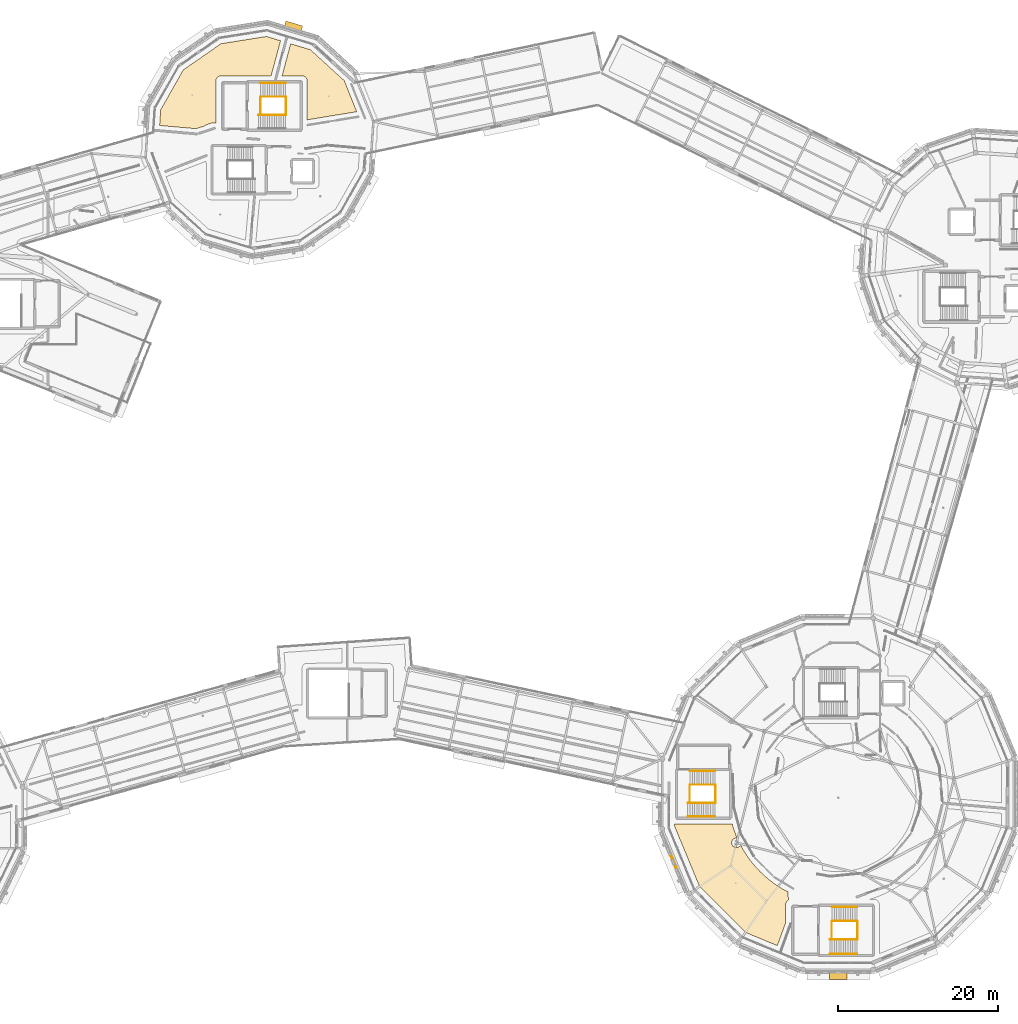
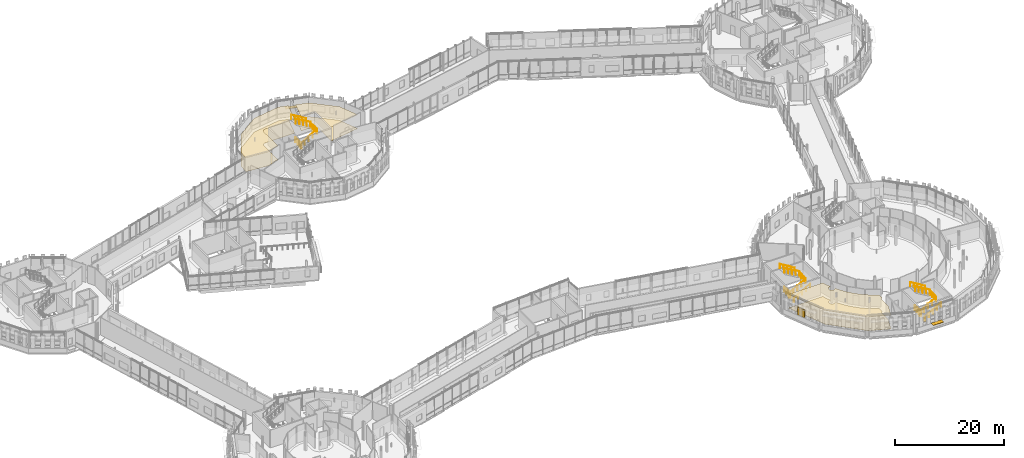
# One storey, part 122 of 125: 17 railings, 6 coverings, 3 shading devices.
"""IFC4 building model written with IfcOpenShell, lengths in metres."""

from ifc_helpers import new_model, si_unit, direction, frame, origin, origin_2d, place, context, subcontext, project, spatial, polyline, rectangle, circle, outline, extrude, material, layer, layer_set, type_object, element, save


model = new_model("IFC4")

# Units and contexts
model_context = context("Model", 3, precision=1e-05, world=origin(), true_north=direction((0.0, 1.0)))
body_context = subcontext(model_context, "Body", "Model", "MODEL_VIEW")
ifc_project = project(units=[si_unit("LENGTHUNIT", "METRE"), si_unit("AREAUNIT", "SQUARE_METRE"), si_unit("VOLUMEUNIT", "CUBIC_METRE"), si_unit("PLANEANGLEUNIT", "RADIAN"), si_unit("MASSUNIT", "GRAM", prefix="KILO")], contexts=[model_context])

# Site, building, storey
site_placement = place(None, origin())
site = spatial("IfcSite", under=ifc_project, at=site_placement, CompositionType="ELEMENT")
building_placement = place(site_placement, origin())
building = spatial("IfcBuilding", under=site, at=building_placement, Name="Wrenclough Park School", CompositionType="ELEMENT")
storey_placement = place(building_placement, frame((0.0, 0.0, 4.199951171875)))
storey = spatial("IfcBuildingStorey", under=building, at=storey_placement, Name="L01", CompositionType="ELEMENT", Elevation=4.199951171875)

# Shading devices
ifc_material_1 = material(Name="Perforated Manchester multi-stock and Staffordshire blue-grey brick screen", Category="masonry")
ifc_layer_1 = layer(ifc_material_1, 0.114990234375)
ifc_layer_set_1 = layer_set([ifc_layer_1], Name="Perforated Manchester multi-stock and Staffordshire blue-grey brick screen")
shading_device_type_1 = type_object("IfcShadingDeviceType", Name="ENV-BS-03", PredefinedType="USERDEFINED", material=ifc_layer_set_1)
shading_device_1_placement = place(storey_placement, frame((134.8994140625, 17.966796875, 1.06982421875), z_axis=(0.0, 0.0, 1.0), x_axis=(0.382692183809, -0.923875907496, 0.0)))
element("IfcShadingDevice", 1, at=shading_device_1_placement, inside=storey, type_object=shading_device_type_1, Name="D1 L01 acoustic open-bond brick baffle 014", ObjectType="PERFORATED BRICK SCREEN", PredefinedType="USERDEFINED", context=body_context, shape_type="SweptSolid", body=[
    extrude(rectangle(XDim=1.60009765625, YDim=0.114990234375, at=origin_2d()), origin(), (0.0, 0.0, 1.0), 1.800048828125),
])
ifc_material_2 = material(Name="Anodised extruded aluminium solar louvre", Category="aluminium")
ifc_layer_2 = layer(ifc_material_2, 0.06005859375)
ifc_layer_set_2 = layer_set([ifc_layer_2], Name="Anodised extruded aluminium solar louvre")
shading_device_type_2 = type_object("IfcShadingDeviceType", Name="ENV-SL-01", PredefinedType="JALOUSIE", material=ifc_layer_set_2)
shading_device_2_placement = place(storey_placement, frame((87.256103515625, 122.673583984375, 1.030029296875), z_axis=(0.0, 0.0, 1.0), x_axis=(-0.957751215921, 0.287597997911, 0.0)))
element("IfcShadingDevice", 2, at=shading_device_2_placement, inside=storey, type_object=shading_device_type_2, Name="D4 L01 sun-side aluminium solar louvre 024", PredefinedType="JALOUSIE", context=body_context, shape_type="SweptSolid", body=[
    extrude(rectangle(XDim=2.199951171875, YDim=0.75, at=origin_2d()), origin(), (0.0, 0.0, 1.0), 0.06005859375),
])
ifc_layer_3 = layer(ifc_material_2, 0.06005859375)
ifc_layer_set_3 = layer_set([ifc_layer_3], Name="Anodised extruded aluminium solar louvre")
shading_device_type_3 = type_object("IfcShadingDeviceType", Name="ENV-SL-02", PredefinedType="JALOUSIE", material=ifc_layer_set_3)
shading_device_3_placement = place(storey_placement, frame((155.5, 3.701904296875, 1.030029296875), z_axis=(0.0, 0.0, 1.0), x_axis=(1.0, 0.0, 0.0)))
element("IfcShadingDevice", 3, at=shading_device_3_placement, inside=storey, type_object=shading_device_type_3, Name="D1 L01 sun-side aluminium solar louvre 015", PredefinedType="JALOUSIE", context=body_context, shape_type="SweptSolid", body=[
    extrude(rectangle(XDim=2.199951171875, YDim=0.8798828125, at=origin_2d()), origin(), (0.0, 0.0, 1.0), 0.06005859375),
])

# Coverings
ifc_material_3 = material(Name="Class A mineral-fibre acoustic ceiling raft", Category="gypsum")
ifc_layer_4 = layer(ifc_material_3, 0.044921875)
ifc_layer_set_4 = layer_set([ifc_layer_4], Name="Class A mineral-fibre acoustic ceiling raft")
covering_type_1 = type_object("IfcCoveringType", Name="INT-COV-CEIL", PredefinedType="CEILING", material=ifc_layer_set_4)
covering_1_placement = place(storey_placement, frame((0.0, 0.0, 3.054931640625)))
element("IfcCovering", 4, at=covering_1_placement, inside=storey, type_object=covering_type_1, Name="Activity Studio 1 acoustic ceiling raft", PredefinedType="CEILING", context=body_context, shape_type="SweptSolid", body=[
    extrude(outline(polyline([(135.05322265625, 22.742431640625), (135.017822265625, 22.751220703125), (135.017822265625, 22.42578125), (138.135986328125, 14.897705078125), (143.897705078125, 9.135986328125), (147.886962890625, 7.48388671875), (148.929931640625, 10.349609375), (148.93310546875, 12.68359375), (148.9423828125, 12.746826171875), (148.9794921875, 12.86865234375), (149.03955078125, 12.981201171875), (149.077392578125, 13.032470703125), (149.16748046875, 13.12255859375), (149.218994140625, 13.160400390625), (149.309814453125, 13.210205078125), (149.252197265625, 13.58251953125), (149.25, 14.213134765625), (148.552978515625, 14.57763671875), (147.7919921875, 15.0546875), (147.08984375, 15.560302734375), (146.39599609375, 16.130615234375), (145.7373046875, 16.748046875), (145.092529296875, 17.439697265625), (144.519287109375, 18.1435546875), (143.9990234375, 18.87548828125), (143.546142578125, 19.607177734375), (143.29638671875, 20.073974609375), (143.24072265625, 19.992431640625), (143.20068359375, 19.9482421875), (143.10888671875, 19.872802734375), (143.057861328125, 19.84228515625), (142.947998046875, 19.796875), (142.831298828125, 19.773681640625), (142.712646484375, 19.773681640625), (142.595947265625, 19.796875), (142.5400390625, 19.81689453125), (142.435302734375, 19.872802734375), (142.34326171875, 19.9482421875), (142.30322265625, 19.992431640625), (142.267822265625, 20.040283203125), (142.2119140625, 20.14501953125), (142.19189453125, 20.200927734375), (142.168701171875, 20.317626953125), (142.168701171875, 20.436279296875), (142.17724609375, 20.495361328125), (142.2119140625, 20.60888671875), (142.2373046875, 20.662841796875), (142.267822265625, 20.7138671875), (142.34326171875, 20.8056640625), (142.435302734375, 20.881103515625), (142.486083984375, 20.91162109375), (142.595947265625, 20.957275390625), (142.65380859375, 20.9716796875), (142.77197265625, 20.9833984375), (142.861572265625, 20.975830078125), (142.732421875, 21.265625), (142.43115234375, 22.07177734375), (142.228515625, 22.73974609375), (142.1201171875, 22.72998046875), (135.179931640625, 22.72998046875), (135.05322265625, 22.742431640625)])), origin(), (0.0, 0.0, 1.0), 0.045166015625),
])
covering_2_placement = place(storey_placement, frame((0.0, 0.0, 3.054931640625)))
element("IfcCovering", 5, at=covering_2_placement, inside=storey, type_object=covering_type_1, Name="Junior Science Laboratory 1 acoustic ceiling raft", PredefinedType="CEILING", context=body_context, shape_type="SweptSolid", body=[
    extrude(outline(polyline([(76.02490234375, 110.1162109375), (76.132080078125, 110.206787109375), (76.193603515625, 110.24560546875), (76.2587890625, 110.27734375), (76.83837890625, 110.515625), (76.973388671875, 110.541015625), (77.3662109375, 110.57177734375), (77.42431640625, 110.57373046875), (77.530029296875, 110.5634765625), (77.530029296875, 115.820068359375), (77.54248046875, 115.94677734375), (77.55810546875, 116.0087890625), (77.606689453125, 116.12646484375), (77.677490234375, 116.232421875), (77.767578125, 116.322509765625), (77.81884765625, 116.360595703125), (77.931396484375, 116.42041015625), (78.05322265625, 116.45751953125), (78.179931640625, 116.469970703125), (84.462646484375, 116.469970703125), (85.640869140625, 120.866943359375), (83.86962890625, 121.398681640625), (78.18701171875, 120.498779296875), (73.45751953125, 117.222412109375), (70.617919921875, 112.21826171875), (70.485107421875, 110.247314453125), (75.0986328125, 109.84375), (75.682373046875, 110.062255859375), (76.02490234375, 110.1162109375)])), origin(), (0.0, 0.0, 1.0), 0.045166015625),
])
covering_3_placement = place(storey_placement, frame((0.0, 0.0, 3.054931640625)))
element("IfcCovering", 6, at=covering_3_placement, inside=storey, type_object=covering_type_1, Name="Pastoral Staff Office acoustic ceiling raft", PredefinedType="CEILING", context=body_context, shape_type="SweptSolid", body=[
    extrude(outline(polyline([(88.969970703125, 115.820068359375), (88.969970703125, 110.9541015625), (95.186767578125, 111.973876953125), (93.626953125, 115.8623046875), (89.380126953125, 119.744140625), (86.905517578125, 120.4873046875), (85.8291015625, 116.469970703125), (88.320068359375, 116.469970703125), (88.44677734375, 116.45751953125), (88.568603515625, 116.42041015625), (88.68115234375, 116.360595703125), (88.732421875, 116.322509765625), (88.822509765625, 116.232421875), (88.893310546875, 116.12646484375), (88.94189453125, 116.0087890625), (88.95751953125, 115.94677734375), (88.969970703125, 115.820068359375)])), origin(), (0.0, 0.0, 1.0), 0.045166015625),
])
ifc_material_4 = material(Name="Acoustic natural linoleum school flooring", Category="wood")
ifc_layer_5 = layer(ifc_material_4, 0.014892578125)
ifc_layer_set_5 = layer_set([ifc_layer_5], Name="Acoustic natural linoleum school flooring")
covering_type_2 = type_object("IfcCoveringType", Name="INT-COV-FLOOR1", PredefinedType="FLOORING", material=ifc_layer_set_5)
covering_4_placement = place(storey_placement, origin())
element("IfcCovering", 7, at=covering_4_placement, inside=storey, type_object=covering_type_2, Name="Junior Science Laboratory 1 floor finish", PredefinedType="FLOORING", context=body_context, shape_type="SweptSolid", body=[
    extrude(outline(polyline([(76.02490234375, 110.1162109375), (76.132080078125, 110.206787109375), (76.193603515625, 110.24560546875), (76.2587890625, 110.27734375), (76.83837890625, 110.515625), (76.973388671875, 110.541015625), (77.3662109375, 110.57177734375), (77.42431640625, 110.57373046875), (77.530029296875, 110.5634765625), (77.530029296875, 115.820068359375), (77.54248046875, 115.94677734375), (77.55810546875, 116.0087890625), (77.606689453125, 116.12646484375), (77.677490234375, 116.232421875), (77.767578125, 116.322509765625), (77.81884765625, 116.360595703125), (77.931396484375, 116.42041015625), (78.05322265625, 116.45751953125), (78.179931640625, 116.469970703125), (84.462646484375, 116.469970703125), (85.640869140625, 120.866943359375), (83.86962890625, 121.398681640625), (78.18701171875, 120.498779296875), (73.45751953125, 117.222412109375), (70.617919921875, 112.21826171875), (70.485107421875, 110.247314453125), (75.0986328125, 109.84375), (75.682373046875, 110.062255859375), (76.02490234375, 110.1162109375)])), origin(), (0.0, 0.0, 1.0), 0.01513671875),
])
covering_5_placement = place(storey_placement, origin())
element("IfcCovering", 8, at=covering_5_placement, inside=storey, type_object=covering_type_2, Name="Pastoral Staff Office floor finish", PredefinedType="FLOORING", context=body_context, shape_type="SweptSolid", body=[
    extrude(outline(polyline([(88.969970703125, 115.820068359375), (88.969970703125, 110.9541015625), (95.186767578125, 111.973876953125), (93.626953125, 115.8623046875), (89.380126953125, 119.744140625), (86.905517578125, 120.4873046875), (85.8291015625, 116.469970703125), (88.320068359375, 116.469970703125), (88.44677734375, 116.45751953125), (88.568603515625, 116.42041015625), (88.68115234375, 116.360595703125), (88.732421875, 116.322509765625), (88.822509765625, 116.232421875), (88.893310546875, 116.12646484375), (88.94189453125, 116.0087890625), (88.95751953125, 115.94677734375), (88.969970703125, 115.820068359375)])), origin(), (0.0, 0.0, 1.0), 0.01513671875),
])
ifc_material_5 = material(Name="Sprung polymeric sports hall flooring", Category="wood")
ifc_layer_6 = layer(ifc_material_5, 0.02197265625)
ifc_layer_set_6 = layer_set([ifc_layer_6], Name="Sprung polymeric sports hall flooring")
covering_type_3 = type_object("IfcCoveringType", Name="INT-COV-FLOOR2", PredefinedType="FLOORING", material=ifc_layer_set_6)
covering_6_placement = place(storey_placement, origin())
element("IfcCovering", 9, at=covering_6_placement, inside=storey, type_object=covering_type_3, Name="Activity Studio 1 floor finish", PredefinedType="FLOORING", context=body_context, shape_type="SweptSolid", body=[
    extrude(outline(polyline([(135.05322265625, 22.742431640625), (135.017822265625, 22.751220703125), (135.017822265625, 22.42578125), (138.135986328125, 14.897705078125), (143.897705078125, 9.135986328125), (147.886962890625, 7.48388671875), (148.929931640625, 10.349609375), (148.93310546875, 12.68359375), (148.9423828125, 12.746826171875), (148.9794921875, 12.86865234375), (149.03955078125, 12.981201171875), (149.077392578125, 13.032470703125), (149.16748046875, 13.12255859375), (149.218994140625, 13.160400390625), (149.309814453125, 13.210205078125), (149.252197265625, 13.58251953125), (149.25, 14.213134765625), (148.552978515625, 14.57763671875), (147.7919921875, 15.0546875), (147.08984375, 15.560302734375), (146.39599609375, 16.130615234375), (145.7373046875, 16.748046875), (145.092529296875, 17.439697265625), (144.519287109375, 18.1435546875), (143.9990234375, 18.87548828125), (143.546142578125, 19.607177734375), (143.29638671875, 20.073974609375), (143.24072265625, 19.992431640625), (143.20068359375, 19.9482421875), (143.10888671875, 19.872802734375), (143.057861328125, 19.84228515625), (142.947998046875, 19.796875), (142.831298828125, 19.773681640625), (142.712646484375, 19.773681640625), (142.595947265625, 19.796875), (142.5400390625, 19.81689453125), (142.435302734375, 19.872802734375), (142.34326171875, 19.9482421875), (142.30322265625, 19.992431640625), (142.267822265625, 20.040283203125), (142.2119140625, 20.14501953125), (142.19189453125, 20.200927734375), (142.168701171875, 20.317626953125), (142.168701171875, 20.436279296875), (142.17724609375, 20.495361328125), (142.2119140625, 20.60888671875), (142.2373046875, 20.662841796875), (142.267822265625, 20.7138671875), (142.34326171875, 20.8056640625), (142.435302734375, 20.881103515625), (142.486083984375, 20.91162109375), (142.595947265625, 20.957275390625), (142.65380859375, 20.9716796875), (142.77197265625, 20.9833984375), (142.861572265625, 20.975830078125), (142.732421875, 21.265625), (142.43115234375, 22.07177734375), (142.228515625, 22.73974609375), (142.1201171875, 22.72998046875), (135.179931640625, 22.72998046875), (135.05322265625, 22.742431640625)])), origin(), (0.0, 0.0, 1.0), 0.02197265625),
])

# Railings
ifc_material_6 = material(Name="Powder-coated steel vertical-baluster stair and atrium guard", Category="steel")
railing_type_1 = type_object("IfcRailingType", Name="INT-RL-GD1120", PredefinedType="GUARDRAIL", material=ifc_material_6)
railing_1_placement = place(storey_placement, frame((154.705078125, 8.25, 0.0)))
element("IfcRailing", 10, at=railing_1_placement, inside=storey, type_object=railing_type_1, Name="ST-09 L01 well guard 1", PredefinedType="GUARDRAIL", context=body_context, shape_type="SweptSolid", body=[
    extrude(circle(Radius=0.02392578125, at=origin_2d()), frame((0.0, 0.0, 1.09619140625), z_axis=(0.0, 1.0, 0.0), x_axis=(-1.0, 0.0, 0.0)), (0.0, 0.0, 1.0), 2.300048828125),
    extrude(circle(Radius=0.02099609375, at=origin_2d()), origin(), (0.0, 0.0, 1.0), 1.072021484375),
    extrude(circle(Radius=0.02099609375, at=origin_2d()), frame((0.0, 0.7666015625, 0.0)), (0.0, 0.0, 1.0), 1.072021484375),
    extrude(circle(Radius=0.02099609375, at=origin_2d()), frame((0.0, 1.533447265625, 0.0)), (0.0, 0.0, 1.0), 1.072021484375),
    extrude(circle(Radius=0.02099609375, at=origin_2d()), frame((0.0, 2.300048828125, 0.0)), (0.0, 0.0, 1.0), 1.072021484375),
])
railing_2_placement = place(storey_placement, frame((154.4599609375, 8.25, 0.16796875)))
element("IfcRailing", 11, at=railing_2_placement, inside=storey, type_object=railing_type_1, Name="ST-09 L01 well guard 2", PredefinedType="GUARDRAIL", context=body_context, shape_type="SweptSolid", body=[
    extrude(circle(Radius=0.02392578125, at=origin_2d()), frame((0.0, 0.0, 1.09619140625), z_axis=(0.861450067461, 0.0, 0.507842279918), x_axis=(0.0, 1.0, 0.0)), (0.0, 0.0, 1.0), 3.969970703125),
    extrude(circle(Radius=0.02099609375, at=origin_2d()), origin(), (0.0, 0.0, 1.0), 1.072021484375),
    extrude(circle(Radius=0.02099609375, at=origin_2d()), frame((0.85498046875, 0.0, 0.50390625)), (0.0, 0.0, 1.0), 1.072021484375),
    extrude(circle(Radius=0.02099609375, at=origin_2d()), frame((1.7099609375, 0.0, 1.008056640625)), (0.0, 0.0, 1.0), 1.072021484375),
    extrude(circle(Radius=0.02099609375, at=origin_2d()), frame((2.56494140625, 0.0, 1.51220703125)), (0.0, 0.0, 1.0), 1.072021484375),
    extrude(circle(Radius=0.02099609375, at=origin_2d()), frame((3.419921875, 0.0, 2.01611328125)), (0.0, 0.0, 1.0), 1.072021484375),
])
railing_3_placement = place(storey_placement, frame((157.919921875, 8.25, 2.18408203125)))
element("IfcRailing", 12, at=railing_3_placement, inside=storey, type_object=railing_type_1, Name="ST-09 L01 well guard 3", PredefinedType="GUARDRAIL", context=body_context, shape_type="SweptSolid", body=[
    extrude(circle(Radius=0.02392578125, at=origin_2d()), frame((0.0, 0.0, 1.09619140625), z_axis=(0.0, 1.0, 0.0), x_axis=(-1.0, 0.0, 0.0)), (0.0, 0.0, 1.0), 2.300048828125),
    extrude(circle(Radius=0.02099609375, at=origin_2d()), origin(), (0.0, 0.0, 1.0), 1.072021484375),
    extrude(circle(Radius=0.02099609375, at=origin_2d()), frame((0.0, 0.7666015625, 0.0)), (0.0, 0.0, 1.0), 1.072021484375),
    extrude(circle(Radius=0.02099609375, at=origin_2d()), frame((0.0, 1.533447265625, 0.0)), (0.0, 0.0, 1.0), 1.072021484375),
    extrude(circle(Radius=0.02099609375, at=origin_2d()), frame((0.0, 2.300048828125, 0.0)), (0.0, 0.0, 1.0), 1.072021484375),
])
railing_4_placement = place(storey_placement, frame((157.8798828125, 10.550048828125, 2.35205078125)))
element("IfcRailing", 13, at=railing_4_placement, inside=storey, type_object=railing_type_1, Name="ST-09 L01 well guard 4", PredefinedType="GUARDRAIL", context=body_context, shape_type="SweptSolid", body=[
    extrude(circle(Radius=0.02392578125, at=origin_2d()), frame((0.0, 0.0, 1.09619140625), z_axis=(-0.861462991237, 0.0, 0.50782035675), x_axis=(0.0, -1.0, 0.0)), (0.0, 0.0, 1.0), 3.638916015625),
    extrude(circle(Radius=0.02099609375, at=origin_2d()), origin(), (0.0, 0.0, 1.0), 1.072021484375),
    extrude(circle(Radius=0.02099609375, at=origin_2d()), frame((-0.78369140625, 0.0, 0.4619140625)), (0.0, 0.0, 1.0), 1.072021484375),
    extrude(circle(Radius=0.02099609375, at=origin_2d()), frame((-1.5673828125, 0.0, 0.923828125)), (0.0, 0.0, 1.0), 1.072021484375),
    extrude(circle(Radius=0.02099609375, at=origin_2d()), frame((-2.35107421875, 0.0, 1.385986328125)), (0.0, 0.0, 1.0), 1.072021484375),
    extrude(circle(Radius=0.02099609375, at=origin_2d()), frame((-3.134765625, 0.0, 1.847900390625)), (0.0, 0.0, 1.0), 1.072021484375),
])
railing_5_placement = place(storey_placement, frame((136.905029296875, 25.35009765625, 0.0)))
element("IfcRailing", 14, at=railing_5_placement, inside=storey, type_object=railing_type_1, Name="ST-12 L01 well guard 1", PredefinedType="GUARDRAIL", context=body_context, shape_type="SweptSolid", body=[
    extrude(circle(Radius=0.02392578125, at=origin_2d()), frame((0.0, 0.0, 1.09619140625), z_axis=(0.0, 1.0, 0.0), x_axis=(-1.0, 0.0, 0.0)), (0.0, 0.0, 1.0), 2.2998046875),
    extrude(circle(Radius=0.02099609375, at=origin_2d()), origin(), (0.0, 0.0, 1.0), 1.072021484375),
    extrude(circle(Radius=0.02099609375, at=origin_2d()), frame((0.0, 0.7666015625, 0.0)), (0.0, 0.0, 1.0), 1.072021484375),
    extrude(circle(Radius=0.02099609375, at=origin_2d()), frame((0.0, 1.533203125, 0.0)), (0.0, 0.0, 1.0), 1.072021484375),
    extrude(circle(Radius=0.02099609375, at=origin_2d()), frame((0.0, 2.2998046875, 0.0)), (0.0, 0.0, 1.0), 1.072021484375),
])
railing_6_placement = place(storey_placement, frame((136.659912109375, 25.35009765625, 0.16796875)))
element("IfcRailing", 15, at=railing_6_placement, inside=storey, type_object=railing_type_1, Name="ST-12 L01 well guard 2", PredefinedType="GUARDRAIL", context=body_context, shape_type="SweptSolid", body=[
    extrude(circle(Radius=0.02392578125, at=origin_2d()), frame((0.0, 0.0, 1.09619140625), z_axis=(0.861465926511, 0.0, 0.507815377338), x_axis=(0.0, 1.0, 0.0)), (0.0, 0.0, 1.0), 3.97021484375),
    extrude(circle(Radius=0.02099609375, at=origin_2d()), origin(), (0.0, 0.0, 1.0), 1.072021484375),
    extrude(circle(Radius=0.02099609375, at=origin_2d()), frame((0.85498046875, 0.0, 0.50390625)), (0.0, 0.0, 1.0), 1.072021484375),
    extrude(circle(Radius=0.02099609375, at=origin_2d()), frame((1.7099609375, 0.0, 1.008056640625)), (0.0, 0.0, 1.0), 1.072021484375),
    extrude(circle(Radius=0.02099609375, at=origin_2d()), frame((2.565185546875, 0.0, 1.51220703125)), (0.0, 0.0, 1.0), 1.072021484375),
    extrude(circle(Radius=0.02099609375, at=origin_2d()), frame((3.420166015625, 0.0, 2.01611328125)), (0.0, 0.0, 1.0), 1.072021484375),
])
railing_7_placement = place(storey_placement, frame((140.1201171875, 25.35009765625, 2.18408203125)))
element("IfcRailing", 16, at=railing_7_placement, inside=storey, type_object=railing_type_1, Name="ST-12 L01 well guard 3", PredefinedType="GUARDRAIL", context=body_context, shape_type="SweptSolid", body=[
    extrude(circle(Radius=0.02392578125, at=origin_2d()), frame((0.0, 0.0, 1.09619140625), z_axis=(0.0, 1.0, 0.0), x_axis=(-1.0, 0.0, 0.0)), (0.0, 0.0, 1.0), 2.2998046875),
    extrude(circle(Radius=0.02099609375, at=origin_2d()), origin(), (0.0, 0.0, 1.0), 1.072021484375),
    extrude(circle(Radius=0.02099609375, at=origin_2d()), frame((0.0, 0.7666015625, 0.0)), (0.0, 0.0, 1.0), 1.072021484375),
    extrude(circle(Radius=0.02099609375, at=origin_2d()), frame((0.0, 1.533203125, 0.0)), (0.0, 0.0, 1.0), 1.072021484375),
    extrude(circle(Radius=0.02099609375, at=origin_2d()), frame((0.0, 2.2998046875, 0.0)), (0.0, 0.0, 1.0), 1.072021484375),
])
railing_8_placement = place(storey_placement, frame((140.080078125, 27.64990234375, 2.35205078125)))
element("IfcRailing", 17, at=railing_8_placement, inside=storey, type_object=railing_type_1, Name="ST-12 L01 well guard 4", PredefinedType="GUARDRAIL", context=body_context, shape_type="SweptSolid", body=[
    extrude(circle(Radius=0.02392578125, at=origin_2d()), frame((0.0, 0.0, 1.09619140625), z_axis=(-0.861480291558, 0.0, 0.50779100746), x_axis=(0.0, -1.0, 0.0)), (0.0, 0.0, 1.0), 3.63916015625),
    extrude(circle(Radius=0.02099609375, at=origin_2d()), origin(), (0.0, 0.0, 1.0), 1.072021484375),
    extrude(circle(Radius=0.02099609375, at=origin_2d()), frame((-0.78369140625, 0.0, 0.4619140625)), (0.0, 0.0, 1.0), 1.072021484375),
    extrude(circle(Radius=0.02099609375, at=origin_2d()), frame((-1.5673828125, 0.0, 0.923828125)), (0.0, 0.0, 1.0), 1.072021484375),
    extrude(circle(Radius=0.02099609375, at=origin_2d()), frame((-2.351318359375, 0.0, 1.385986328125)), (0.0, 0.0, 1.0), 1.072021484375),
    extrude(circle(Radius=0.02099609375, at=origin_2d()), frame((-3.135009765625, 0.0, 1.847900390625)), (0.0, 0.0, 1.0), 1.072021484375),
])
railing_9_placement = place(storey_placement, frame((83.10498046875, 111.550048828125, 0.0)))
element("IfcRailing", 18, at=railing_9_placement, inside=storey, type_object=railing_type_1, Name="ST-08 L01 well guard 1", PredefinedType="GUARDRAIL", context=body_context, shape_type="SweptSolid", body=[
    extrude(circle(Radius=0.02392578125, at=origin_2d()), frame((0.0, 0.0, 1.09619140625), z_axis=(0.0, 1.0, 0.0), x_axis=(-1.0, 0.0, 0.0)), (0.0, 0.0, 1.0), 2.300048828125),
    extrude(circle(Radius=0.02099609375, at=origin_2d()), origin(), (0.0, 0.0, 1.0), 1.072021484375),
    extrude(circle(Radius=0.02099609375, at=origin_2d()), frame((0.0, 0.7666015625, 0.0)), (0.0, 0.0, 1.0), 1.072021484375),
    extrude(circle(Radius=0.02099609375, at=origin_2d()), frame((0.0, 1.533447265625, 0.0)), (0.0, 0.0, 1.0), 1.072021484375),
    extrude(circle(Radius=0.02099609375, at=origin_2d()), frame((0.0, 2.300048828125, 0.0)), (0.0, 0.0, 1.0), 1.072021484375),
])
railing_10_placement = place(storey_placement, frame((82.860107421875, 111.550048828125, 0.16796875)))
element("IfcRailing", 19, at=railing_10_placement, inside=storey, type_object=railing_type_1, Name="ST-08 L01 well guard 2", PredefinedType="GUARDRAIL", context=body_context, shape_type="SweptSolid", body=[
    extrude(circle(Radius=0.02392578125, at=origin_2d()), frame((0.0, 0.0, 1.09619140625), z_axis=(0.861450067461, 0.0, 0.507842279918), x_axis=(0.0, 1.0, 0.0)), (0.0, 0.0, 1.0), 3.969970703125),
    extrude(circle(Radius=0.02099609375, at=origin_2d()), origin(), (0.0, 0.0, 1.0), 1.072021484375),
    extrude(circle(Radius=0.02099609375, at=origin_2d()), frame((0.85498046875, 0.0, 0.50390625)), (0.0, 0.0, 1.0), 1.072021484375),
    extrude(circle(Radius=0.02099609375, at=origin_2d()), frame((1.7099609375, 0.0, 1.008056640625)), (0.0, 0.0, 1.0), 1.072021484375),
    extrude(circle(Radius=0.02099609375, at=origin_2d()), frame((2.56494140625, 0.0, 1.51220703125)), (0.0, 0.0, 1.0), 1.072021484375),
    extrude(circle(Radius=0.02099609375, at=origin_2d()), frame((3.419921875, 0.0, 2.01611328125)), (0.0, 0.0, 1.0), 1.072021484375),
])
railing_11_placement = place(storey_placement, frame((86.320068359375, 111.550048828125, 2.18408203125)))
element("IfcRailing", 20, at=railing_11_placement, inside=storey, type_object=railing_type_1, Name="ST-08 L01 well guard 3", PredefinedType="GUARDRAIL", context=body_context, shape_type="SweptSolid", body=[
    extrude(circle(Radius=0.02392578125, at=origin_2d()), frame((0.0, 0.0, 1.09619140625), z_axis=(0.0, 1.0, 0.0), x_axis=(-1.0, 0.0, 0.0)), (0.0, 0.0, 1.0), 2.300048828125),
    extrude(circle(Radius=0.02099609375, at=origin_2d()), origin(), (0.0, 0.0, 1.0), 1.072021484375),
    extrude(circle(Radius=0.02099609375, at=origin_2d()), frame((0.0, 0.7666015625, 0.0)), (0.0, 0.0, 1.0), 1.072021484375),
    extrude(circle(Radius=0.02099609375, at=origin_2d()), frame((0.0, 1.533447265625, 0.0)), (0.0, 0.0, 1.0), 1.072021484375),
    extrude(circle(Radius=0.02099609375, at=origin_2d()), frame((0.0, 2.300048828125, 0.0)), (0.0, 0.0, 1.0), 1.072021484375),
])
railing_12_placement = place(storey_placement, frame((86.280029296875, 113.85009765625, 2.35205078125)))
element("IfcRailing", 21, at=railing_12_placement, inside=storey, type_object=railing_type_1, Name="ST-08 L01 well guard 4", PredefinedType="GUARDRAIL", context=body_context, shape_type="SweptSolid", body=[
    extrude(circle(Radius=0.02392578125, at=origin_2d()), frame((0.0, 0.0, 1.09619140625), z_axis=(-0.861480291558, 0.0, 0.50779100746), x_axis=(0.0, -1.0, 0.0)), (0.0, 0.0, 1.0), 3.63916015625),
    extrude(circle(Radius=0.02099609375, at=origin_2d()), origin(), (0.0, 0.0, 1.0), 1.072021484375),
    extrude(circle(Radius=0.02099609375, at=origin_2d()), frame((-0.78369140625, 0.0, 0.4619140625)), (0.0, 0.0, 1.0), 1.072021484375),
    extrude(circle(Radius=0.02099609375, at=origin_2d()), frame((-1.5673828125, 0.0, 0.923828125)), (0.0, 0.0, 1.0), 1.072021484375),
    extrude(circle(Radius=0.02099609375, at=origin_2d()), frame((-2.351318359375, 0.0, 1.385986328125)), (0.0, 0.0, 1.0), 1.072021484375),
    extrude(circle(Radius=0.02099609375, at=origin_2d()), frame((-3.135009765625, 0.0, 1.847900390625)), (0.0, 0.0, 1.0), 1.072021484375),
])
ifc_material_7 = material(Name="Brushed stainless steel tubular handrail", Category="steel")
railing_type_2 = type_object("IfcRailingType", Name="INT-RL-HR950", PredefinedType="HANDRAIL", material=ifc_material_7)
railing_13_placement = place(storey_placement, frame((154.4599609375, 6.449951171875, 0.16796875)))
element("IfcRailing", 22, at=railing_13_placement, inside=storey, type_object=railing_type_2, Name="ST-09 L01 pitch handrail 1", PredefinedType="HANDRAIL", context=body_context, shape_type="SweptSolid", body=[
    extrude(circle(Radius=0.02392578125, at=origin_2d()), frame((0.0, 0.0, 0.92578125), z_axis=(0.861450067461, 0.0, 0.507842279918), x_axis=(0.0, 1.0, 0.0)), (0.0, 0.0, 1.0), 3.969970703125),
    extrude(circle(Radius=0.02099609375, at=origin_2d()), origin(), (0.0, 0.0, 1.0), 0.90185546875),
    extrude(circle(Radius=0.02099609375, at=origin_2d()), frame((0.85498046875, 0.0, 0.50390625)), (0.0, 0.0, 1.0), 0.90185546875),
    extrude(circle(Radius=0.02099609375, at=origin_2d()), frame((1.7099609375, 0.0, 1.008056640625)), (0.0, 0.0, 1.0), 0.90185546875),
    extrude(circle(Radius=0.02099609375, at=origin_2d()), frame((2.56494140625, 0.0, 1.51220703125)), (0.0, 0.0, 1.0), 0.90185546875),
    extrude(circle(Radius=0.02099609375, at=origin_2d()), frame((3.419921875, 0.0, 2.01611328125)), (0.0, 0.0, 1.0), 0.90185546875),
])
railing_14_placement = place(storey_placement, frame((157.8798828125, 12.35009765625, 2.35205078125)))
element("IfcRailing", 23, at=railing_14_placement, inside=storey, type_object=railing_type_2, Name="ST-09 L01 pitch handrail 2", PredefinedType="HANDRAIL", context=body_context, shape_type="SweptSolid", body=[
    extrude(circle(Radius=0.02392578125, at=origin_2d()), frame((0.0, 0.0, 0.92578125), z_axis=(-0.861462991237, 0.0, 0.50782035675), x_axis=(0.0, -1.0, 0.0)), (0.0, 0.0, 1.0), 3.638916015625),
    extrude(circle(Radius=0.02099609375, at=origin_2d()), origin(), (0.0, 0.0, 1.0), 0.90185546875),
    extrude(circle(Radius=0.02099609375, at=origin_2d()), frame((-0.78369140625, 0.0, 0.4619140625)), (0.0, 0.0, 1.0), 0.90185546875),
    extrude(circle(Radius=0.02099609375, at=origin_2d()), frame((-1.5673828125, 0.0, 0.923828125)), (0.0, 0.0, 1.0), 0.90185546875),
    extrude(circle(Radius=0.02099609375, at=origin_2d()), frame((-2.35107421875, 0.0, 1.385986328125)), (0.0, 0.0, 1.0), 0.90185546875),
    extrude(circle(Radius=0.02099609375, at=origin_2d()), frame((-3.134765625, 0.0, 1.847900390625)), (0.0, 0.0, 1.0), 0.90185546875),
])
railing_15_placement = place(storey_placement, frame((136.659912109375, 23.64990234375, 0.16796875)))
element("IfcRailing", 24, at=railing_15_placement, inside=storey, type_object=railing_type_2, Name="ST-12 L01 pitch handrail 1", PredefinedType="HANDRAIL", context=body_context, shape_type="SweptSolid", body=[
    extrude(circle(Radius=0.02392578125, at=origin_2d()), frame((0.0, 0.0, 0.92578125), z_axis=(0.861465926511, 0.0, 0.507815377338), x_axis=(0.0, 1.0, 0.0)), (0.0, 0.0, 1.0), 3.97021484375),
    extrude(circle(Radius=0.02099609375, at=origin_2d()), origin(), (0.0, 0.0, 1.0), 0.90185546875),
    extrude(circle(Radius=0.02099609375, at=origin_2d()), frame((0.85498046875, 0.0, 0.50390625)), (0.0, 0.0, 1.0), 0.90185546875),
    extrude(circle(Radius=0.02099609375, at=origin_2d()), frame((1.7099609375, 0.0, 1.008056640625)), (0.0, 0.0, 1.0), 0.90185546875),
    extrude(circle(Radius=0.02099609375, at=origin_2d()), frame((2.565185546875, 0.0, 1.51220703125)), (0.0, 0.0, 1.0), 0.90185546875),
    extrude(circle(Radius=0.02099609375, at=origin_2d()), frame((3.420166015625, 0.0, 2.01611328125)), (0.0, 0.0, 1.0), 0.90185546875),
])
for number, where, name in (
    (25, (140.080078125, 29.35009765625, 2.35205078125), "ST-12 L01 pitch handrail 2"),
    (26, (86.280029296875, 115.550048828125, 2.35205078125), "ST-08 L01 pitch handrail 2"),
):
    element("IfcRailing", number, at=place(storey_placement, frame(where)), inside=storey, type_object=railing_type_2, Name=name, PredefinedType="HANDRAIL", context=body_context, shape_type="SweptSolid", body=[
        extrude(circle(Radius=0.02392578125, at=origin_2d()), frame((0.0, 0.0, 0.92578125), z_axis=(-0.861480291558, 0.0, 0.50779100746), x_axis=(0.0, -1.0, 0.0)), (0.0, 0.0, 1.0), 3.63916015625),
        extrude(circle(Radius=0.02099609375, at=origin_2d()), origin(), (0.0, 0.0, 1.0), 0.90185546875),
        extrude(circle(Radius=0.02099609375, at=origin_2d()), frame((-0.78369140625, 0.0, 0.4619140625)), (0.0, 0.0, 1.0), 0.90185546875),
        extrude(circle(Radius=0.02099609375, at=origin_2d()), frame((-1.5673828125, 0.0, 0.923828125)), (0.0, 0.0, 1.0), 0.90185546875),
        extrude(circle(Radius=0.02099609375, at=origin_2d()), frame((-2.351318359375, 0.0, 1.385986328125)), (0.0, 0.0, 1.0), 0.90185546875),
        extrude(circle(Radius=0.02099609375, at=origin_2d()), frame((-3.135009765625, 0.0, 1.847900390625)), (0.0, 0.0, 1.0), 0.90185546875),
    ])

save(model, "model.ifc")
